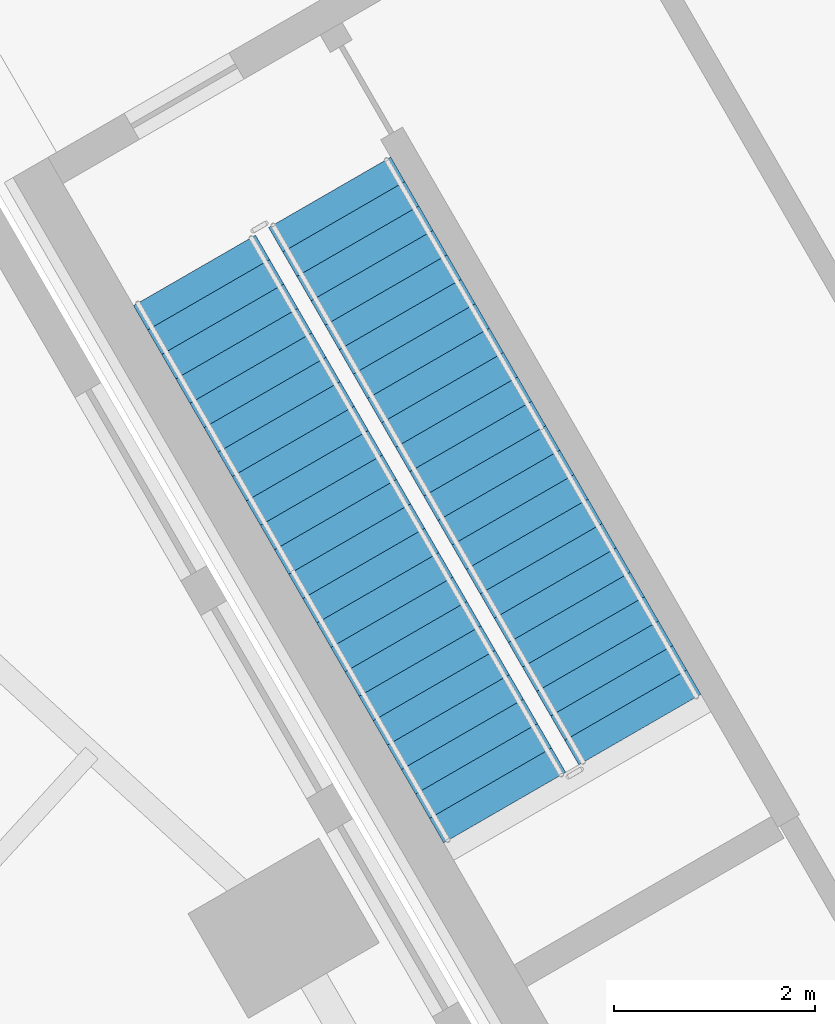
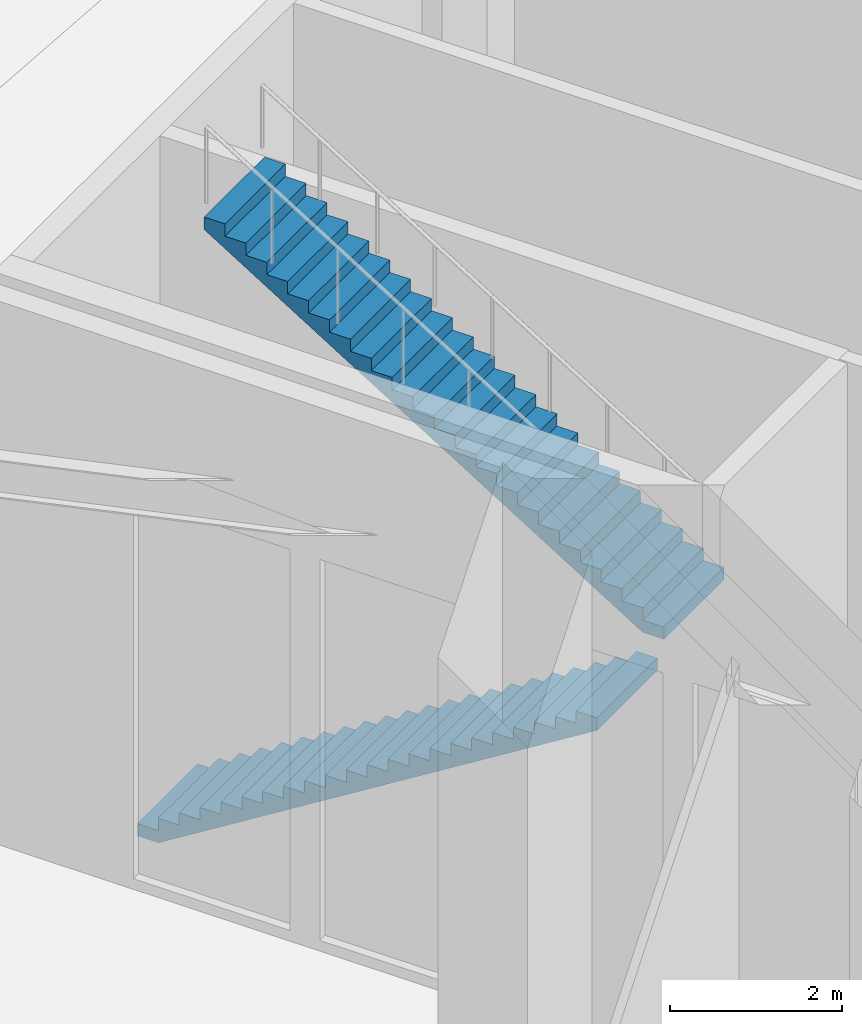
# One storey, part 21 of 34: 2 stair flights, 1 element without a shape of its own.
"""IFC4 building model written with IfcOpenShell, lengths in metres."""

import ifcopenshell
import ifcopenshell.guid

model = None  # the IFC model being written
_history = None  # IfcOwnerHistory: only IFC2X3 demands one
_inside = {}  # id of a spatial element -> (the spatial element, [elements in it])
_under = {}  # id of a project, library or spatial element -> (it, [spatial elements below it])
_declared = {}  # id of a project -> (the project, [libraries it declares])
_typed = {}  # id of a type object -> (the type object, [elements of that type])
_made_of = {}  # id of a material, layer set ... -> (it, [elements and type objects made of it])


def new_model(schema):
    """Start an empty IFC model of exactly this schema.

    Asked for "IFC4X3", IfcOpenShell would pick the latest addendum, in which some entities
    have other attributes; the version numbers below select the first issue.
    IFC2X3 requires an IfcOwnerHistory on every rooted entity: one is made here for all.
    """
    global model, _history
    if schema == "IFC4X3":
        model = ifcopenshell.file(schema_version=(4, 3, 0, 0))
    else:
        model = ifcopenshell.file(schema=schema)
    _inside.clear()
    _under.clear()
    _declared.clear()
    _typed.clear()
    _made_of.clear()
    _history = None
    if model.schema == "IFC2X3":
        org = make("IfcOrganization", Name="unknown")
        user = make(
            "IfcPersonAndOrganization",
            ThePerson=make("IfcPerson", FamilyName="unknown"),
            TheOrganization=org,
        )
        app = make(
            "IfcApplication",
            ApplicationDeveloper=org,
            Version="unknown",
            ApplicationFullName="unknown",
            ApplicationIdentifier="unknown",
        )
        _history = make(
            "IfcOwnerHistory",
            OwningUser=user,
            OwningApplication=app,
            ChangeAction="ADDED",
            CreationDate=0,
        )
    return model


def make(cls, **values):
    """One entity of the class cls with the attributes given. An attribute that is None is left unset."""
    return model.create_entity(
        cls, **{name: value for name, value in values.items() if value is not None}
    )


def rooted(cls, **values):
    """An entity with a GlobalId (a new one), such as an element, a storey or a relation."""
    return make(cls, GlobalId=ifcopenshell.guid.new(), OwnerHistory=_history, **values)


def si_unit(unit_type, name, prefix=None):
    """IfcSIUnit, for example si_unit("LENGTHUNIT", "METRE", prefix="MILLI")."""
    return make("IfcSIUnit", UnitType=unit_type, Prefix=prefix, Name=name)


def assignment(units):
    """IfcUnitAssignment: the units of a project."""
    return None if units is None else make("IfcUnitAssignment", Units=units)


def point(xyz):
    """IfcCartesianPoint."""
    return None if xyz is None else make("IfcCartesianPoint", Coordinates=xyz)


def direction(xyz):
    """IfcDirection."""
    return None if xyz is None else make("IfcDirection", DirectionRatios=xyz)


def frame(location, z_axis=None, x_axis=None):
    """IfcAxis2Placement3D, a coordinate frame: its origin and axes. An axis left out is left unset."""
    return make(
        "IfcAxis2Placement3D",
        Location=point(location),
        Axis=direction(z_axis),
        RefDirection=direction(x_axis),
    )


def origin():
    """The frame at (0, 0, 0) with its axes left unset."""
    return frame((0.0, 0.0, 0.0))


def place(relative_to, where):
    """IfcLocalPlacement: puts the frame where relative to a parent placement (None: the world)."""
    return make(
        "IfcLocalPlacement", PlacementRelTo=relative_to, RelativePlacement=where
    )


def context(
    kind, dimensions, precision=None, world=None, true_north=None, identifier=None
):
    """IfcGeometricRepresentationContext, for example the 3D "Model" context."""
    return make(
        "IfcGeometricRepresentationContext",
        ContextIdentifier=identifier,
        ContextType=kind,
        CoordinateSpaceDimension=dimensions,
        Precision=precision,
        WorldCoordinateSystem=world,
        TrueNorth=true_north,
    )


def subcontext(parent, identifier, kind, view, scale=None):
    """IfcGeometricRepresentationSubContext, for example "Body" below "Model"."""
    return make(
        "IfcGeometricRepresentationSubContext",
        ContextIdentifier=identifier,
        ContextType=kind,
        ParentContext=parent,
        TargetScale=scale,
        TargetView=view,
    )


def project(units=None, contexts=None):
    """IfcProject with its units and contexts."""
    return rooted(
        "IfcProject",
        Name="project",
        RepresentationContexts=contexts,
        UnitsInContext=assignment(units),
    )


def spatial(cls, under=None, at=None, **own):
    """A site, building, storey or space (cls), placed at a placement, below another one or the project."""
    s = rooted(cls, ObjectPlacement=at, **own)
    if under is not None:
        _under.setdefault(under.id(), (under, []))[1].append(s)
    return s


def polyline(points):
    """IfcPolyline through the points."""
    return make("IfcPolyline", Points=[point(p) for p in points])


def outline(outer, holes=None, kind="AREA"):
    """IfcArbitraryClosedProfileDef: a profile drawn as a closed curve; with holes, ...WithVoids."""
    if holes is None:
        return make("IfcArbitraryClosedProfileDef", ProfileType=kind, OuterCurve=outer)
    return make(
        "IfcArbitraryProfileDefWithVoids",
        ProfileType=kind,
        OuterCurve=outer,
        InnerCurves=holes,
    )


def extrude(swept, where, along, depth):
    """IfcExtrudedAreaSolid: the profile swept, set in the frame where, extruded along a direction by depth."""
    return make(
        "IfcExtrudedAreaSolid",
        SweptArea=swept,
        Position=where,
        ExtrudedDirection=direction(along),
        Depth=depth,
    )


def shape(context_of_items, identifier, shape_type, items):
    """IfcShapeRepresentation: the items that make up one representation, for example the "Body"."""
    return make(
        "IfcShapeRepresentation",
        ContextOfItems=context_of_items,
        RepresentationIdentifier=identifier,
        RepresentationType=shape_type,
        Items=items,
    )


def material(Name=None, Category=None):
    """IfcMaterial."""
    return make("IfcMaterial", Name=Name, Category=Category)


def made_of(thing, what):
    """Note that an element or type object is made of a material, layer set ...; save() writes the relation."""
    if what is not None:
        _made_of.setdefault(what.id(), (what, []))[1].append(thing)
    return thing


def type_object(cls, material=None, **own):
    """A type object (cls), such as IfcWallType, which elements share."""
    return made_of(rooted(cls, **own), material)


def element(
    cls,
    number,
    at=None,
    inside=None,
    cuts=None,
    type_object=None,
    material=None,
    context=None,
    identifier="Body",
    shape_type=None,
    held_by="IfcProductDefinitionShape",
    body=None,
    shapes=None,
    **own,
):
    """One element of the class cls, such as IfcWall. Its Tag is "e" and its number.

    at: its placement. inside: the storey or other place that contains it. cuts: it is an
    opening in that element (IfcRelVoidsElement). A single representation is given by context,
    identifier, shape_type and body (its items); several are given by shapes. held_by: the class
    of the entity that holds the representations. save() writes the other relations.
    """
    e = rooted(cls, Tag="e%d" % number, ObjectPlacement=at, **own)
    if body is not None:
        shapes = [shape(context, identifier, shape_type, body)]
    if shapes is not None:
        e.Representation = make(held_by, Representations=shapes)
    if inside is not None:
        _inside.setdefault(inside.id(), (inside, []))[1].append(e)
    if cuts is not None:
        rooted(
            "IfcRelVoidsElement", RelatingBuildingElement=cuts, RelatedOpeningElement=e
        )
    if type_object is not None:
        _typed.setdefault(type_object.id(), (type_object, []))[1].append(e)
    return made_of(e, material)


def aggregate(whole, parts):
    """IfcRelAggregates: a whole, such as a stair, and the parts it consists of."""
    return rooted("IfcRelAggregates", RelatingObject=whole, RelatedObjects=parts)


def save(model, path):
    """Write the relations noted so far, then the file.

    IfcRelAggregates (storeys below a building ...), IfcRelContainedInSpatialStructure (elements
    in a storey), IfcRelDefinesByType, IfcRelAssociatesMaterial and IfcRelDeclares: one each for
    every whole, place, type object, material and project.
    """
    for whole, parts in _under.values():
        aggregate(whole, parts)
    for where, things in _inside.values():
        rooted(
            "IfcRelContainedInSpatialStructure",
            RelatedElements=things,
            RelatingStructure=where,
        )
    for kind, things in _typed.values():
        rooted("IfcRelDefinesByType", RelatedObjects=things, RelatingType=kind)
    for what, things in _made_of.values():
        rooted("IfcRelAssociatesMaterial", RelatedObjects=things, RelatingMaterial=what)
    for by, libraries in _declared.values():
        rooted("IfcRelDeclares", RelatingContext=by, RelatedDefinitions=libraries)
    model.write(path)


model = new_model("IFC4")

# Units and contexts
model_context = context("Model", 3, precision=1e-05, world=origin(), true_north=direction((0.0, 1.0)))
body_context = subcontext(model_context, "Body", "Model", "MODEL_VIEW")
ifc_project = project(units=[si_unit("LENGTHUNIT", "METRE"), si_unit("AREAUNIT", "SQUARE_METRE"), si_unit("VOLUMEUNIT", "CUBIC_METRE"), si_unit("PLANEANGLEUNIT", "RADIAN"), si_unit("MASSUNIT", "GRAM", prefix="KILO")], contexts=[model_context])

# Site, building, storey
site_placement = place(None, origin())
site = spatial("IfcSite", under=ifc_project, at=site_placement, CompositionType="ELEMENT")
building_placement = place(site_placement, origin())
building = spatial("IfcBuilding", under=site, at=building_placement, Name="Firuza Gate Tower and Library", CompositionType="ELEMENT")
storey_placement = place(building_placement, origin())
storey = spatial("IfcBuildingStorey", under=building, at=storey_placement, Name="L00", CompositionType="ELEMENT", Elevation=0.0)

# Stair, stair flights
ifc_material_1 = material(Name="Concrete C40/50", Category="concrete")
stair_type = type_object("IfcStairType", Name="LIB STAIR", PredefinedType="HALF_TURN_STAIR", material=ifc_material_1)
stair_placement = place(storey_placement, origin())
stair = element("IfcStair", 1, at=stair_placement, inside=storey, type_object=stair_type, Name="L00 Exit stair A", PredefinedType="HALF_TURN_STAIR")
ifc_material_2 = material(Name="Concrete C40/50", Category="concrete")
stair_flight_type = type_object("IfcStairFlightType", Name="LIB STAIR FLIGHT", PredefinedType="STRAIGHT", material=ifc_material_2)
stair_flight_1_placement = place(storey_placement, frame((81.735595703125, 108.102783203125, 0.0), z_axis=(0.0, 0.0, 1.0), x_axis=(0.5, -0.866025403784, 0.0)))
stair_flight_1 = element("IfcStairFlight", 2, at=stair_flight_1_placement, type_object=stair_flight_type, Name="LIB-ST-A flight 1", NumberOfRisers=23, NumberOfTreads=22, PredefinedType="STRAIGHT", RiserHeight=0.173913043, TreadLength=0.28, context=body_context, shape_type="SweptSolid", body=[
    extrude(outline(polyline([(0.0, 0.0), (0.0, 0.173828125), (0.280029296875, 0.173828125), (0.280029296875, 0.347900390625), (0.56005859375, 0.347900390625), (0.56005859375, 0.521728515625), (0.840087890625, 0.521728515625), (0.840087890625, 0.695556640625), (1.1201171875, 0.695556640625), (1.1201171875, 0.86962890625), (1.39990234375, 0.86962890625), (1.39990234375, 1.04345703125), (1.679931640625, 1.04345703125), (1.679931640625, 1.21728515625), (1.9599609375, 1.21728515625), (1.9599609375, 1.391357421875), (2.239990234375, 1.391357421875), (2.239990234375, 1.565185546875), (2.52001953125, 1.565185546875), (2.52001953125, 1.739013671875), (2.800048828125, 1.739013671875), (2.800048828125, 1.9130859375), (3.080078125, 1.9130859375), (3.080078125, 2.0869140625), (3.360107421875, 2.0869140625), (3.360107421875, 2.260986328125), (3.639892578125, 2.260986328125), (3.639892578125, 2.434814453125), (3.919921875, 2.434814453125), (3.919921875, 2.608642578125), (4.199951171875, 2.608642578125), (4.199951171875, 2.78271484375), (4.47998046875, 2.78271484375), (4.47998046875, 2.95654296875), (4.760009765625, 2.95654296875), (4.760009765625, 3.13037109375), (5.0400390625, 3.13037109375), (5.0400390625, 3.304443359375), (5.320068359375, 3.304443359375), (5.320068359375, 3.478271484375), (5.60009765625, 3.478271484375), (5.60009765625, 3.652099609375), (5.8798828125, 3.652099609375), (5.8798828125, 3.826171875), (6.159912109375, 3.826171875), (6.159912109375, 4.0), (6.159912109375, 3.649658203125), (0.2841796875, 0.0), (0.0, 0.0)])), frame((0.0, 0.699951171875, 0.0), z_axis=(0.0, -1.0, 0.0), x_axis=(1.0, 0.0, 0.0)), (0.0, 0.0, 1.0), 1.39990234375),
])
stair_flight_2_placement = place(storey_placement, frame((86.157958984375, 103.54296875, 4.0), z_axis=(0.0, 0.0, 1.0), x_axis=(-0.5, 0.866025403784, 0.0)))
stair_flight_2 = element("IfcStairFlight", 3, at=stair_flight_2_placement, type_object=stair_flight_type, Name="LIB-ST-A flight 2", NumberOfRisers=23, NumberOfTreads=22, PredefinedType="STRAIGHT", RiserHeight=0.173913043, TreadLength=0.28, context=body_context, shape_type="SweptSolid", body=[
    extrude(outline(polyline([(0.0, 0.0), (0.0, 0.173828125), (0.280029296875, 0.173828125), (0.280029296875, 0.347900390625), (0.56005859375, 0.347900390625), (0.56005859375, 0.521728515625), (0.840087890625, 0.521728515625), (0.840087890625, 0.695556640625), (1.1201171875, 0.695556640625), (1.1201171875, 0.86962890625), (1.39990234375, 0.86962890625), (1.39990234375, 1.04345703125), (1.679931640625, 1.04345703125), (1.679931640625, 1.21728515625), (1.9599609375, 1.21728515625), (1.9599609375, 1.391357421875), (2.239990234375, 1.391357421875), (2.239990234375, 1.565185546875), (2.52001953125, 1.565185546875), (2.52001953125, 1.739013671875), (2.800048828125, 1.739013671875), (2.800048828125, 1.9130859375), (3.080078125, 1.9130859375), (3.080078125, 2.0869140625), (3.360107421875, 2.0869140625), (3.360107421875, 2.260986328125), (3.639892578125, 2.260986328125), (3.639892578125, 2.434814453125), (3.919921875, 2.434814453125), (3.919921875, 2.608642578125), (4.199951171875, 2.608642578125), (4.199951171875, 2.78271484375), (4.47998046875, 2.78271484375), (4.47998046875, 2.95654296875), (4.760009765625, 2.95654296875), (4.760009765625, 3.13037109375), (5.0400390625, 3.13037109375), (5.0400390625, 3.304443359375), (5.320068359375, 3.304443359375), (5.320068359375, 3.478271484375), (5.60009765625, 3.478271484375), (5.60009765625, 3.652099609375), (5.8798828125, 3.652099609375), (5.8798828125, 3.826171875), (6.159912109375, 3.826171875), (6.159912109375, 4.0), (6.159912109375, 3.649658203125), (0.2841796875, 0.0), (0.0, 0.0)])), frame((0.0, 0.699951171875, 0.0), z_axis=(0.0, -1.0, 0.0), x_axis=(1.0, 0.0, 0.0)), (0.0, 0.0, 1.0), 1.39990234375),
])
aggregate(stair, [stair_flight_1, stair_flight_2])

save(model, "model.ifc")
